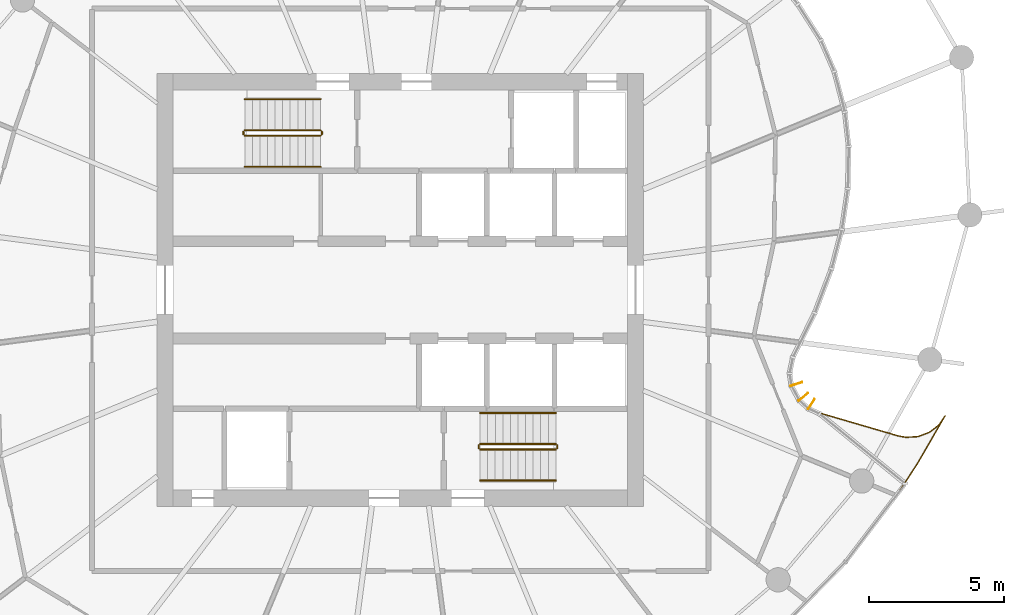
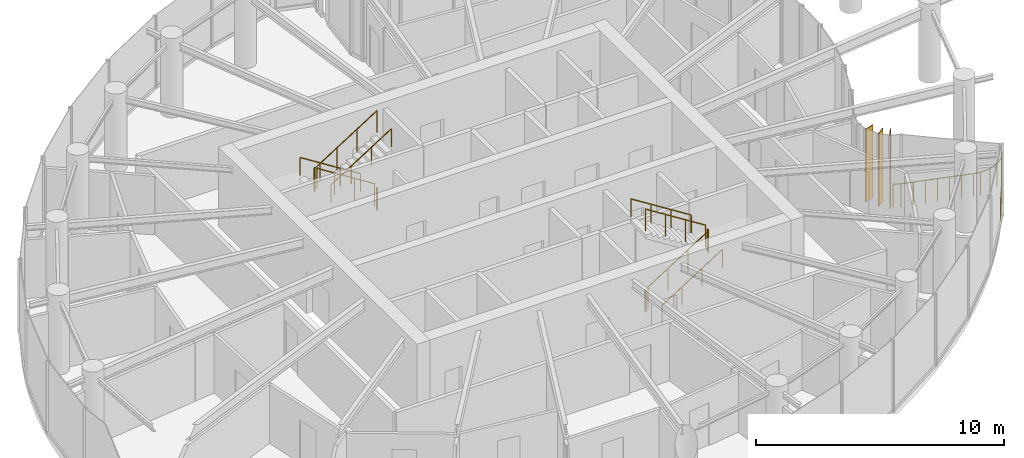
# One storey, part 16 of 17: 13 railings, 3 shading devices.
"""IFC4 building model written with IfcOpenShell, lengths in metres."""

import ifcopenshell
import ifcopenshell.guid

model = None  # the IFC model being written
_history = None  # IfcOwnerHistory: only IFC2X3 demands one
_inside = {}  # id of a spatial element -> (the spatial element, [elements in it])
_under = {}  # id of a project, library or spatial element -> (it, [spatial elements below it])
_declared = {}  # id of a project -> (the project, [libraries it declares])
_typed = {}  # id of a type object -> (the type object, [elements of that type])
_made_of = {}  # id of a material, layer set ... -> (it, [elements and type objects made of it])


def new_model(schema):
    """Start an empty IFC model of exactly this schema.

    Asked for "IFC4X3", IfcOpenShell would pick the latest addendum, in which some entities
    have other attributes; the version numbers below select the first issue.
    IFC2X3 requires an IfcOwnerHistory on every rooted entity: one is made here for all.
    """
    global model, _history
    if schema == "IFC4X3":
        model = ifcopenshell.file(schema_version=(4, 3, 0, 0))
    else:
        model = ifcopenshell.file(schema=schema)
    _inside.clear()
    _under.clear()
    _declared.clear()
    _typed.clear()
    _made_of.clear()
    _history = None
    if model.schema == "IFC2X3":
        org = make("IfcOrganization", Name="unknown")
        user = make(
            "IfcPersonAndOrganization",
            ThePerson=make("IfcPerson", FamilyName="unknown"),
            TheOrganization=org,
        )
        app = make(
            "IfcApplication",
            ApplicationDeveloper=org,
            Version="unknown",
            ApplicationFullName="unknown",
            ApplicationIdentifier="unknown",
        )
        _history = make(
            "IfcOwnerHistory",
            OwningUser=user,
            OwningApplication=app,
            ChangeAction="ADDED",
            CreationDate=0,
        )
    return model


def make(cls, **values):
    """One entity of the class cls with the attributes given. An attribute that is None is left unset."""
    return model.create_entity(
        cls, **{name: value for name, value in values.items() if value is not None}
    )


def rooted(cls, **values):
    """An entity with a GlobalId (a new one), such as an element, a storey or a relation."""
    return make(cls, GlobalId=ifcopenshell.guid.new(), OwnerHistory=_history, **values)


def si_unit(unit_type, name, prefix=None):
    """IfcSIUnit, for example si_unit("LENGTHUNIT", "METRE", prefix="MILLI")."""
    return make("IfcSIUnit", UnitType=unit_type, Prefix=prefix, Name=name)


def assignment(units):
    """IfcUnitAssignment: the units of a project."""
    return None if units is None else make("IfcUnitAssignment", Units=units)


def point(xyz):
    """IfcCartesianPoint."""
    return None if xyz is None else make("IfcCartesianPoint", Coordinates=xyz)


def direction(xyz):
    """IfcDirection."""
    return None if xyz is None else make("IfcDirection", DirectionRatios=xyz)


def frame(location, z_axis=None, x_axis=None):
    """IfcAxis2Placement3D, a coordinate frame: its origin and axes. An axis left out is left unset."""
    return make(
        "IfcAxis2Placement3D",
        Location=point(location),
        Axis=direction(z_axis),
        RefDirection=direction(x_axis),
    )


def frame_2d(location, x_axis=None):
    """IfcAxis2Placement2D, a coordinate frame in the plane: its origin and x axis."""
    return make(
        "IfcAxis2Placement2D", Location=point(location), RefDirection=direction(x_axis)
    )


def origin():
    """The frame at (0, 0, 0) with its axes left unset."""
    return frame((0.0, 0.0, 0.0))


def origin_2d():
    """The frame at (0, 0) in the plane with its x axis left unset."""
    return frame_2d((0.0, 0.0))


def place(relative_to, where):
    """IfcLocalPlacement: puts the frame where relative to a parent placement (None: the world)."""
    return make(
        "IfcLocalPlacement", PlacementRelTo=relative_to, RelativePlacement=where
    )


def context(
    kind, dimensions, precision=None, world=None, true_north=None, identifier=None
):
    """IfcGeometricRepresentationContext, for example the 3D "Model" context."""
    return make(
        "IfcGeometricRepresentationContext",
        ContextIdentifier=identifier,
        ContextType=kind,
        CoordinateSpaceDimension=dimensions,
        Precision=precision,
        WorldCoordinateSystem=world,
        TrueNorth=true_north,
    )


def subcontext(parent, identifier, kind, view, scale=None):
    """IfcGeometricRepresentationSubContext, for example "Body" below "Model"."""
    return make(
        "IfcGeometricRepresentationSubContext",
        ContextIdentifier=identifier,
        ContextType=kind,
        ParentContext=parent,
        TargetScale=scale,
        TargetView=view,
    )


def project(units=None, contexts=None):
    """IfcProject with its units and contexts."""
    return rooted(
        "IfcProject",
        Name="project",
        RepresentationContexts=contexts,
        UnitsInContext=assignment(units),
    )


def spatial(cls, under=None, at=None, **own):
    """A site, building, storey or space (cls), placed at a placement, below another one or the project."""
    s = rooted(cls, ObjectPlacement=at, **own)
    if under is not None:
        _under.setdefault(under.id(), (under, []))[1].append(s)
    return s


def profile(cls, at=None, kind="AREA", **sizes):
    """A parametric profile (cls). Its sizes go by their IFC names, for example OverallWidth=200.0."""
    return make(cls, ProfileType=kind, Position=at, **sizes)


def rectangle(**sizes):
    """IfcRectangleProfileDef."""
    return profile("IfcRectangleProfileDef", **sizes)


def circle(**sizes):
    """IfcCircleProfileDef."""
    return profile("IfcCircleProfileDef", **sizes)


def extrude(swept, where, along, depth):
    """IfcExtrudedAreaSolid: the profile swept, set in the frame where, extruded along a direction by depth."""
    return make(
        "IfcExtrudedAreaSolid",
        SweptArea=swept,
        Position=where,
        ExtrudedDirection=direction(along),
        Depth=depth,
    )


def shape(context_of_items, identifier, shape_type, items):
    """IfcShapeRepresentation: the items that make up one representation, for example the "Body"."""
    return make(
        "IfcShapeRepresentation",
        ContextOfItems=context_of_items,
        RepresentationIdentifier=identifier,
        RepresentationType=shape_type,
        Items=items,
    )


def source(mapping_origin, context_of_items, identifier, shape_type, items):
    """IfcRepresentationMap: a shape defined once, which mapped items show again and again."""
    return make(
        "IfcRepresentationMap",
        MappingOrigin=mapping_origin,
        MappedRepresentation=shape(context_of_items, identifier, shape_type, items),
    )


def transform(
    local_origin,
    x_axis=None,
    y_axis=None,
    z_axis=None,
    scale=None,
    scale2=None,
    scale3=None,
    uniform=True,
):
    """IfcCartesianTransformationOperator3D, or its non-uniform kind. x_axis, y_axis, z_axis: its Axis1, 2, 3."""
    if uniform:
        return make(
            "IfcCartesianTransformationOperator3D",
            Axis1=direction(x_axis),
            Axis2=direction(y_axis),
            LocalOrigin=point(local_origin),
            Scale=scale,
            Axis3=direction(z_axis),
        )
    return make(
        "IfcCartesianTransformationOperator3DnonUniform",
        Axis1=direction(x_axis),
        Axis2=direction(y_axis),
        LocalOrigin=point(local_origin),
        Scale=scale,
        Axis3=direction(z_axis),
        Scale2=scale2,
        Scale3=scale3,
    )


def mapped(mapping_source, mapping_target):
    """IfcMappedItem: shows the shape of a source again, moved by a transform."""
    return make(
        "IfcMappedItem", MappingSource=mapping_source, MappingTarget=mapping_target
    )


def material(Name=None, Category=None):
    """IfcMaterial."""
    return make("IfcMaterial", Name=Name, Category=Category)


def material_profile(
    of_material, cross_section, Name=None, Category=None, Priority=None
):
    """IfcMaterialProfile: a cross section and its material."""
    return make(
        "IfcMaterialProfile",
        Name=Name,
        Material=of_material,
        Profile=cross_section,
        Priority=Priority,
        Category=Category,
    )


def profile_set(profiles, Name=None, composite=None):
    """IfcMaterialProfileSet."""
    return make(
        "IfcMaterialProfileSet",
        Name=Name,
        MaterialProfiles=profiles,
        CompositeProfile=composite,
    )


def made_of(thing, what):
    """Note that an element or type object is made of a material, layer set ...; save() writes the relation."""
    if what is not None:
        _made_of.setdefault(what.id(), (what, []))[1].append(thing)
    return thing


def type_object(cls, material=None, **own):
    """A type object (cls), such as IfcWallType, which elements share."""
    return made_of(rooted(cls, **own), material)


def element(
    cls,
    number,
    at=None,
    inside=None,
    cuts=None,
    type_object=None,
    material=None,
    context=None,
    identifier="Body",
    shape_type=None,
    held_by="IfcProductDefinitionShape",
    body=None,
    shapes=None,
    **own,
):
    """One element of the class cls, such as IfcWall. Its Tag is "e" and its number.

    at: its placement. inside: the storey or other place that contains it. cuts: it is an
    opening in that element (IfcRelVoidsElement). A single representation is given by context,
    identifier, shape_type and body (its items); several are given by shapes. held_by: the class
    of the entity that holds the representations. save() writes the other relations.
    """
    e = rooted(cls, Tag="e%d" % number, ObjectPlacement=at, **own)
    if body is not None:
        shapes = [shape(context, identifier, shape_type, body)]
    if shapes is not None:
        e.Representation = make(held_by, Representations=shapes)
    if inside is not None:
        _inside.setdefault(inside.id(), (inside, []))[1].append(e)
    if cuts is not None:
        rooted(
            "IfcRelVoidsElement", RelatingBuildingElement=cuts, RelatedOpeningElement=e
        )
    if type_object is not None:
        _typed.setdefault(type_object.id(), (type_object, []))[1].append(e)
    return made_of(e, material)


def aggregate(whole, parts):
    """IfcRelAggregates: a whole, such as a stair, and the parts it consists of."""
    return rooted("IfcRelAggregates", RelatingObject=whole, RelatedObjects=parts)


def save(model, path):
    """Write the relations noted so far, then the file.

    IfcRelAggregates (storeys below a building ...), IfcRelContainedInSpatialStructure (elements
    in a storey), IfcRelDefinesByType, IfcRelAssociatesMaterial and IfcRelDeclares: one each for
    every whole, place, type object, material and project.
    """
    for whole, parts in _under.values():
        aggregate(whole, parts)
    for where, things in _inside.values():
        rooted(
            "IfcRelContainedInSpatialStructure",
            RelatedElements=things,
            RelatingStructure=where,
        )
    for kind, things in _typed.values():
        rooted("IfcRelDefinesByType", RelatedObjects=things, RelatingType=kind)
    for what, things in _made_of.values():
        rooted("IfcRelAssociatesMaterial", RelatedObjects=things, RelatingMaterial=what)
    for by, libraries in _declared.values():
        rooted("IfcRelDeclares", RelatingContext=by, RelatedDefinitions=libraries)
    model.write(path)


model = new_model("IFC4")

# Units and contexts
model_context = context("Model", 3, precision=1e-05, world=origin(), true_north=direction((0.0, 1.0)))
body_context = subcontext(model_context, "Body", "Model", "MODEL_VIEW")
ifc_project = project(units=[si_unit("LENGTHUNIT", "METRE"), si_unit("AREAUNIT", "SQUARE_METRE"), si_unit("VOLUMEUNIT", "CUBIC_METRE"), si_unit("PLANEANGLEUNIT", "RADIAN"), si_unit("MASSUNIT", "GRAM", prefix="KILO")], contexts=[model_context])

# Site, building, storey
site_placement = place(None, origin())
site = spatial("IfcSite", under=ifc_project, at=site_placement, CompositionType="ELEMENT")
building_placement = place(site_placement, origin())
building = spatial("IfcBuilding", under=site, at=building_placement, Name="Spindrift Exchange Tower", CompositionType="ELEMENT")
storey_placement = place(building_placement, frame((0.0, 0.0, 187.699951171875)))
storey = spatial("IfcBuildingStorey", under=building, at=storey_placement, Name="L45", CompositionType="ELEMENT", Elevation=187.699951171875)

# Railings
ifc_material_1 = material(Name="Steel balustrade", Category="steel")
railing_type_1 = type_object("IfcRailingType", Name="RL-STAIR-GUARD", PredefinedType="GUARDRAIL", material=ifc_material_1)
railing_1_placement = place(storey_placement, frame((49.050048828125, 53.89990234375, 0.17724609375)))
element("IfcRailing", 1, at=railing_1_placement, inside=storey, type_object=railing_type_1, Name="L45 ST1 stair guard 1", PredefinedType="GUARDRAIL", context=body_context, shape_type="SweptSolid", body=[
    extrude(circle(Radius=0.02392578125, at=origin_2d()), frame((0.0, 0.0, 1.076171875), z_axis=(-0.844908973607, 0.0, 0.534910110503), x_axis=(0.0, -1.0, 0.0)), (0.0, 0.0, 1.0), 3.31396484375),
    extrude(circle(Radius=0.02099609375, at=origin_2d()), origin(), (0.0, 0.0, 1.0), 1.052001953125),
    extrude(circle(Radius=0.02099609375, at=origin_2d()), frame((-0.933349609375, 0.0, 0.5908203125)), (0.0, 0.0, 1.0), 1.052001953125),
    extrude(circle(Radius=0.02099609375, at=origin_2d()), frame((-1.86669921875, 0.0, 1.181884765625)), (0.0, 0.0, 1.0), 1.052001953125),
    extrude(circle(Radius=0.02099609375, at=origin_2d()), frame((-2.800048828125, 0.0, 1.772705078125)), (0.0, 0.0, 1.0), 1.052001953125),
])
railing_2_placement = place(storey_placement, frame((46.199951171875, 53.85009765625, 1.949951171875)))
element("IfcRailing", 2, at=railing_2_placement, inside=storey, type_object=railing_type_1, Name="L45 ST1 stair guard 2", PredefinedType="GUARDRAIL", context=body_context, shape_type="SweptSolid", body=[
    extrude(circle(Radius=0.02392578125, at=origin_2d()), frame((0.0, 0.0, 1.076171875), z_axis=(0.0, -1.0, 0.0), x_axis=(1.0, 0.0, 0.0)), (0.0, 0.0, 1.0), 0.10009765625),
    extrude(circle(Radius=0.02099609375, at=origin_2d()), origin(), (0.0, 0.0, 1.0), 1.052001953125),
    extrude(circle(Radius=0.02099609375, at=origin_2d()), frame((0.0, -0.10009765625, 0.0)), (0.0, 0.0, 1.0), 1.052001953125),
])
railing_3_placement = place(storey_placement, frame((46.25, 53.699951171875, 2.12744140625)))
element("IfcRailing", 3, at=railing_3_placement, inside=storey, type_object=railing_type_1, Name="L45 ST1 stair guard 3", PredefinedType="GUARDRAIL", context=body_context, shape_type="SweptSolid", body=[
    extrude(circle(Radius=0.02392578125, at=origin_2d()), frame((0.0, 0.0, 1.076171875), z_axis=(0.844908973607, 0.0, 0.534910110503), x_axis=(0.0, 1.0, 0.0)), (0.0, 0.0, 1.0), 3.31396484375),
    extrude(circle(Radius=0.02099609375, at=origin_2d()), origin(), (0.0, 0.0, 1.0), 1.052001953125),
    extrude(circle(Radius=0.02099609375, at=origin_2d()), frame((0.933349609375, 0.0, 0.5908203125)), (0.0, 0.0, 1.0), 1.052001953125),
    extrude(circle(Radius=0.02099609375, at=origin_2d()), frame((1.86669921875, 0.0, 1.181884765625)), (0.0, 0.0, 1.0), 1.052001953125),
    extrude(circle(Radius=0.02099609375, at=origin_2d()), frame((2.800048828125, 0.0, 1.772705078125)), (0.0, 0.0, 1.0), 1.052001953125),
])
railing_4_placement = place(storey_placement, frame((49.10009765625, 53.85009765625, 0.0)))
element("IfcRailing", 4, at=railing_4_placement, inside=storey, type_object=railing_type_1, Name="L45 ST1 stair guard 4", PredefinedType="GUARDRAIL", context=body_context, shape_type="SweptSolid", body=[
    extrude(circle(Radius=0.02392578125, at=origin_2d()), frame((0.0, 0.0, 1.076171875), z_axis=(0.0, -1.0, 0.0), x_axis=(1.0, 0.0, 0.0)), (0.0, 0.0, 1.0), 0.10009765625),
    extrude(circle(Radius=0.02099609375, at=origin_2d()), origin(), (0.0, 0.0, 1.0), 1.052001953125),
    extrude(circle(Radius=0.02099609375, at=origin_2d()), frame((0.0, -0.10009765625, 0.0)), (0.0, 0.0, 1.0), 1.052001953125),
])
railing_5_placement = place(storey_placement, frame((54.949951171875, 42.10009765625, 0.17724609375)))
element("IfcRailing", 5, at=railing_5_placement, inside=storey, type_object=railing_type_1, Name="L45 ST2 stair guard 1", PredefinedType="GUARDRAIL", context=body_context, shape_type="SweptSolid", body=[
    extrude(circle(Radius=0.02392578125, at=origin_2d()), frame((0.0, 0.0, 1.076171875), z_axis=(0.844908973607, 0.0, 0.534910110503), x_axis=(0.0, 1.0, 0.0)), (0.0, 0.0, 1.0), 3.31396484375),
    extrude(circle(Radius=0.02099609375, at=origin_2d()), origin(), (0.0, 0.0, 1.0), 1.052001953125),
    extrude(circle(Radius=0.02099609375, at=origin_2d()), frame((0.933349609375, 0.0, 0.5908203125)), (0.0, 0.0, 1.0), 1.052001953125),
    extrude(circle(Radius=0.02099609375, at=origin_2d()), frame((1.86669921875, 0.0, 1.181884765625)), (0.0, 0.0, 1.0), 1.052001953125),
    extrude(circle(Radius=0.02099609375, at=origin_2d()), frame((2.800048828125, 0.0, 1.772705078125)), (0.0, 0.0, 1.0), 1.052001953125),
])
railing_6_placement = place(storey_placement, frame((57.800048828125, 42.14990234375, 1.949951171875)))
element("IfcRailing", 6, at=railing_6_placement, inside=storey, type_object=railing_type_1, Name="L45 ST2 stair guard 2", PredefinedType="GUARDRAIL", context=body_context, shape_type="SweptSolid", body=[
    extrude(circle(Radius=0.02392578125, at=origin_2d()), frame((0.0, 0.0, 1.076171875), z_axis=(0.0, 1.0, 0.0), x_axis=(-1.0, 0.0, 0.0)), (0.0, 0.0, 1.0), 0.10009765625),
    extrude(circle(Radius=0.02099609375, at=origin_2d()), origin(), (0.0, 0.0, 1.0), 1.052001953125),
    extrude(circle(Radius=0.02099609375, at=origin_2d()), frame((0.0, 0.10009765625, 0.0)), (0.0, 0.0, 1.0), 1.052001953125),
])
railing_7_placement = place(storey_placement, frame((57.75, 42.300048828125, 2.12744140625)))
element("IfcRailing", 7, at=railing_7_placement, inside=storey, type_object=railing_type_1, Name="L45 ST2 stair guard 3", PredefinedType="GUARDRAIL", context=body_context, shape_type="SweptSolid", body=[
    extrude(circle(Radius=0.02392578125, at=origin_2d()), frame((0.0, 0.0, 1.076171875), z_axis=(-0.844908973607, 0.0, 0.534910110503), x_axis=(0.0, -1.0, 0.0)), (0.0, 0.0, 1.0), 3.31396484375),
    extrude(circle(Radius=0.02099609375, at=origin_2d()), origin(), (0.0, 0.0, 1.0), 1.052001953125),
    extrude(circle(Radius=0.02099609375, at=origin_2d()), frame((-0.933349609375, 0.0, 0.5908203125)), (0.0, 0.0, 1.0), 1.052001953125),
    extrude(circle(Radius=0.02099609375, at=origin_2d()), frame((-1.86669921875, 0.0, 1.181884765625)), (0.0, 0.0, 1.0), 1.052001953125),
    extrude(circle(Radius=0.02099609375, at=origin_2d()), frame((-2.800048828125, 0.0, 1.772705078125)), (0.0, 0.0, 1.0), 1.052001953125),
])
railing_8_placement = place(storey_placement, frame((54.89990234375, 42.14990234375, 0.0)))
element("IfcRailing", 8, at=railing_8_placement, inside=storey, type_object=railing_type_1, Name="L45 ST2 stair guard 4", PredefinedType="GUARDRAIL", context=body_context, shape_type="SweptSolid", body=[
    extrude(circle(Radius=0.02392578125, at=origin_2d()), frame((0.0, 0.0, 1.076171875), z_axis=(0.0, 1.0, 0.0), x_axis=(-1.0, 0.0, 0.0)), (0.0, 0.0, 1.0), 0.10009765625),
    extrude(circle(Radius=0.02099609375, at=origin_2d()), origin(), (0.0, 0.0, 1.0), 1.052001953125),
    extrude(circle(Radius=0.02099609375, at=origin_2d()), frame((0.0, 0.10009765625, 0.0)), (0.0, 0.0, 1.0), 1.052001953125),
])
ifc_material_2 = material(Name="Steel tubular handrail", Category="steel")
railing_type_2 = type_object("IfcRailingType", Name="RL-STAIR-HAND", PredefinedType="HANDRAIL", material=ifc_material_2)
railing_9_placement = place(storey_placement, frame((49.050048828125, 55.050048828125, 0.17724609375)))
element("IfcRailing", 9, at=railing_9_placement, inside=storey, type_object=railing_type_2, Name="L45 ST1 stair handrail 1", PredefinedType="HANDRAIL", context=body_context, shape_type="SweptSolid", body=[
    extrude(circle(Radius=0.02392578125, at=origin_2d()), frame((0.0, 0.0, 0.8759765625), z_axis=(-0.844908973607, 0.0, 0.534910110503), x_axis=(0.0, -1.0, 0.0)), (0.0, 0.0, 1.0), 3.31396484375),
    extrude(circle(Radius=0.02099609375, at=origin_2d()), origin(), (0.0, 0.0, 1.0), 0.851806640625),
    extrude(circle(Radius=0.02099609375, at=origin_2d()), frame((-0.933349609375, 0.0, 0.5908203125)), (0.0, 0.0, 1.0), 0.851806640625),
    extrude(circle(Radius=0.02099609375, at=origin_2d()), frame((-1.86669921875, 0.0, 1.181884765625)), (0.0, 0.0, 1.0), 0.851806640625),
    extrude(circle(Radius=0.02099609375, at=origin_2d()), frame((-2.800048828125, 0.0, 1.772705078125)), (0.0, 0.0, 1.0), 0.851806640625),
])
for number, where, name in (
    (10, (46.25, 52.550048828125, 2.12744140625), "L45 ST1 stair handrail 2"),
    (11, (54.949951171875, 40.949951171875, 0.17724609375), "L45 ST2 stair handrail 1"),
):
    element("IfcRailing", number, at=place(storey_placement, frame(where)), inside=storey, type_object=railing_type_2, Name=name, PredefinedType="HANDRAIL", context=body_context, shape_type="SweptSolid", body=[
        extrude(circle(Radius=0.02392578125, at=origin_2d()), frame((0.0, 0.0, 0.8759765625), z_axis=(0.844908973607, 0.0, 0.534910110503), x_axis=(0.0, 1.0, 0.0)), (0.0, 0.0, 1.0), 3.31396484375),
        extrude(circle(Radius=0.02099609375, at=origin_2d()), origin(), (0.0, 0.0, 1.0), 0.851806640625),
        extrude(circle(Radius=0.02099609375, at=origin_2d()), frame((0.933349609375, 0.0, 0.5908203125)), (0.0, 0.0, 1.0), 0.851806640625),
        extrude(circle(Radius=0.02099609375, at=origin_2d()), frame((1.86669921875, 0.0, 1.181884765625)), (0.0, 0.0, 1.0), 0.851806640625),
        extrude(circle(Radius=0.02099609375, at=origin_2d()), frame((2.800048828125, 0.0, 1.772705078125)), (0.0, 0.0, 1.0), 0.851806640625),
    ])
railing_10_placement = place(storey_placement, frame((57.75, 43.449951171875, 2.12744140625)))
element("IfcRailing", 12, at=railing_10_placement, inside=storey, type_object=railing_type_2, Name="L45 ST2 stair handrail 2", PredefinedType="HANDRAIL", context=body_context, shape_type="SweptSolid", body=[
    extrude(circle(Radius=0.02392578125, at=origin_2d()), frame((0.0, 0.0, 0.8759765625), z_axis=(-0.844908973607, 0.0, 0.534910110503), x_axis=(0.0, -1.0, 0.0)), (0.0, 0.0, 1.0), 3.31396484375),
    extrude(circle(Radius=0.02099609375, at=origin_2d()), origin(), (0.0, 0.0, 1.0), 0.851806640625),
    extrude(circle(Radius=0.02099609375, at=origin_2d()), frame((-0.933349609375, 0.0, 0.5908203125)), (0.0, 0.0, 1.0), 0.851806640625),
    extrude(circle(Radius=0.02099609375, at=origin_2d()), frame((-1.86669921875, 0.0, 1.181884765625)), (0.0, 0.0, 1.0), 0.851806640625),
    extrude(circle(Radius=0.02099609375, at=origin_2d()), frame((-2.800048828125, 0.0, 1.772705078125)), (0.0, 0.0, 1.0), 0.851806640625),
])
ifc_material_3 = material(Name="Bronze anodised aluminium balustrade", Category="aluminium")
railing_type_3 = type_object("IfcRailingType", Name="TERRACE GUARDRAIL 1150", PredefinedType="GUARDRAIL", material=ifc_material_3)
railing_11_placement = place(storey_placement, frame((67.21630859375, 43.5712890625, 0.0)))
element("IfcRailing", 13, at=railing_11_placement, inside=storey, type_object=railing_type_3, Name="L45 Sky Garden Edge Guardrail 2", PredefinedType="GUARDRAIL", context=body_context, shape_type="SweptSolid", body=[
    extrude(circle(Radius=0.02392578125, at=origin_2d()), frame((0.0, 0.0, 1.1259765625), z_axis=(0.923500831646, -0.383596420667, 0.0), x_axis=(0.383596420667, 0.923500831646, 0.0)), (0.0, 0.0, 1.0), 0.3232421875),
    extrude(circle(Radius=0.02392578125, at=origin_2d()), frame((0.298583984375, -0.1240234375, 1.1259765625), z_axis=(0.959907125352, -0.280318231121, 0.0), x_axis=(0.280318231121, 0.959907125352, 0.0)), (0.0, 0.0, 1.0), 1.00146484375),
    extrude(circle(Radius=0.02392578125, at=origin_2d()), frame((1.260009765625, -0.40478515625, 1.1259765625), z_axis=(0.959953561821, -0.280159167522, 0.0), x_axis=(0.280159167522, 0.959953561821, 0.0)), (0.0, 0.0, 1.0), 1.001220703125),
    extrude(circle(Radius=0.02392578125, at=origin_2d()), frame((2.22119140625, -0.685302734375, 1.1259765625), z_axis=(0.959907125352, -0.280318231121, 0.0), x_axis=(0.280318231121, 0.959907125352, 0.0)), (0.0, 0.0, 1.0), 1.00146484375),
    extrude(circle(Radius=0.02392578125, at=origin_2d()), frame((3.1826171875, -0.966064453125, 1.1259765625), z_axis=(0.983065273135, -0.183255746856, 0.0), x_axis=(0.183255746856, 0.983065273135, 0.0)), (0.0, 0.0, 1.0), 0.2998046875),
    extrude(circle(Radius=0.02392578125, at=origin_2d()), frame((3.477294921875, -1.02099609375, 1.1259765625), z_axis=(0.998144543981, 0.06088899179, 0.0), x_axis=(-0.06088899179, 0.998144543981, 0.0)), (0.0, 0.0, 1.0), 0.448974609375),
    extrude(circle(Radius=0.02392578125, at=origin_2d()), frame((3.925537109375, -0.99365234375, 1.1259765625), z_axis=(0.936530061722, 0.350587283698, 0.0), x_axis=(-0.350587283698, 0.936530061722, 0.0)), (0.0, 0.0, 1.0), 0.44921875),
    extrude(circle(Radius=0.02392578125, at=origin_2d()), frame((4.34619140625, -0.836181640625, 1.1259765625), z_axis=(0.793894889288, 0.608055017874, 0.0), x_axis=(-0.608055017874, 0.793894889288, 0.0)), (0.0, 0.0, 1.0), 0.44921875),
    extrude(circle(Radius=0.02392578125, at=origin_2d()), frame((4.702880859375, -0.56298828125, 1.1259765625), z_axis=(0.549561344859, 0.835453366884, 0.0), x_axis=(-0.835453366884, 0.549561344859, 0.0)), (0.0, 0.0, 1.0), 0.406494140625),
    extrude(circle(Radius=0.02392578125, at=origin_2d()), frame((4.92626953125, -0.223388671875, 1.1259765625), z_axis=(-0.499750333769, -0.866169500674, 0.0), x_axis=(0.866169500674, -0.499750333769, 0.0)), (0.0, 0.0, 1.0), 1.0107421875),
    extrude(circle(Radius=0.02392578125, at=origin_2d()), frame((4.421142578125, -1.098876953125, 1.1259765625), z_axis=(-0.499645796091, -0.86622980695, 0.0), x_axis=(0.86622980695, -0.499645796091, 0.0)), (0.0, 0.0, 1.0), 1.010986328125),
    extrude(circle(Radius=0.02392578125, at=origin_2d()), frame((3.916015625, -1.974609375, 1.1259765625), z_axis=(-0.54491834305, -0.838489117048, 0.0), x_axis=(0.838489117048, -0.54491834305, 0.0)), (0.0, 0.0, 1.0), 1.225830078125),
    extrude(circle(Radius=0.02099609375, at=origin_2d()), origin(), (0.0, 0.0, 1.0), 1.101806640625),
    extrude(circle(Radius=0.02099609375, at=origin_2d()), frame((0.298583984375, -0.1240234375, 0.0)), (0.0, 0.0, 1.0), 1.101806640625),
    extrude(circle(Radius=0.02099609375, at=origin_2d()), frame((0.779296875, -0.264404296875, 0.0)), (0.0, 0.0, 1.0), 1.101806640625),
    extrude(circle(Radius=0.02099609375, at=origin_2d()), frame((1.260009765625, -0.40478515625, 0.0)), (0.0, 0.0, 1.0), 1.101806640625),
    extrude(circle(Radius=0.02099609375, at=origin_2d()), frame((1.74072265625, -0.544921875, 0.0)), (0.0, 0.0, 1.0), 1.101806640625),
    extrude(circle(Radius=0.02099609375, at=origin_2d()), frame((2.22119140625, -0.685302734375, 0.0)), (0.0, 0.0, 1.0), 1.101806640625),
    extrude(circle(Radius=0.02099609375, at=origin_2d()), frame((2.701904296875, -0.82568359375, 0.0)), (0.0, 0.0, 1.0), 1.101806640625),
    extrude(circle(Radius=0.02099609375, at=origin_2d()), frame((3.1826171875, -0.966064453125, 0.0)), (0.0, 0.0, 1.0), 1.101806640625),
    extrude(circle(Radius=0.02099609375, at=origin_2d()), frame((3.477294921875, -1.02099609375, 0.0)), (0.0, 0.0, 1.0), 1.101806640625),
    extrude(circle(Radius=0.02099609375, at=origin_2d()), frame((3.925537109375, -0.99365234375, 0.0)), (0.0, 0.0, 1.0), 1.101806640625),
    extrude(circle(Radius=0.02099609375, at=origin_2d()), frame((4.34619140625, -0.836181640625, 0.0)), (0.0, 0.0, 1.0), 1.101806640625),
    extrude(circle(Radius=0.02099609375, at=origin_2d()), frame((4.702880859375, -0.56298828125, 0.0)), (0.0, 0.0, 1.0), 1.101806640625),
    extrude(circle(Radius=0.02099609375, at=origin_2d()), frame((4.92626953125, -0.223388671875, 0.0)), (0.0, 0.0, 1.0), 1.101806640625),
    extrude(circle(Radius=0.02099609375, at=origin_2d()), frame((4.673828125, -0.6611328125, 0.0)), (0.0, 0.0, 1.0), 1.101806640625),
    extrude(circle(Radius=0.02099609375, at=origin_2d()), frame((4.421142578125, -1.098876953125, 0.0)), (0.0, 0.0, 1.0), 1.101806640625),
    extrude(circle(Radius=0.02099609375, at=origin_2d()), frame((4.16845703125, -1.53662109375, 0.0)), (0.0, 0.0, 1.0), 1.101806640625),
    extrude(circle(Radius=0.02099609375, at=origin_2d()), frame((3.916015625, -1.974609375, 0.0)), (0.0, 0.0, 1.0), 1.101806640625),
    extrude(circle(Radius=0.02099609375, at=origin_2d()), frame((3.58203125, -2.488525390625, 0.0)), (0.0, 0.0, 1.0), 1.101806640625),
    extrude(circle(Radius=0.02099609375, at=origin_2d()), frame((3.248046875, -3.00244140625, 0.0)), (0.0, 0.0, 1.0), 1.101806640625),
])

# Shading devices
ifc_material_4 = material(Name="Bronze anodised aluminium", Category="aluminium")
ifc_material_profile = material_profile(ifc_material_4, rectangle(XDim=0.030029296875, YDim=0.449951171875, at=origin_2d()), Name="WIND FIN 30X450")
ifc_profile_set = profile_set([ifc_material_profile], Name="Bronze anodised aluminium")
shading_device_type = type_object("IfcShadingDeviceType", Name="WIND FIN 30X450", PredefinedType="USERDEFINED", material=ifc_profile_set)
shared_shape = source(origin(), body_context, "Body", "SweptSolid", [
    extrude(rectangle(XDim=0.030029296875, YDim=0.449951171875, at=origin_2d()), origin(), (0.0, 0.0, 1.0), 3.580078125),
])
for number, where, z_axis, x_axis, name in (
    (14, (67.195556640625, 43.77734375, 0.0), (0.0, 0.0, 1.0), (-0.834816156464, 0.550528822957, 0.0), "L45 wind fin 1"),
    (15, (66.899658203125, 44.042236328125, 0.0), (0.0, 0.0, 1.0), (-0.617649624237, 0.786453394474, 0.0), "L45 wind fin 2"),
    (16, (66.644287109375, 44.517333984375, 0.0), (0.0, 0.0, 1.0), (-0.314574025092, 0.949232944402, 0.0), "L45 wind fin 3"),
):
    element("IfcShadingDevice", number, at=place(storey_placement, frame(where, z_axis=z_axis, x_axis=x_axis)), inside=storey, type_object=shading_device_type, Name=name, ObjectType="FIN", PredefinedType="USERDEFINED", context=body_context, shape_type="MappedRepresentation", body=[
        mapped(shared_shape, transform((0.0, 0.0, 0.0), scale=1.0)),
    ])

save(model, "model.ifc")
